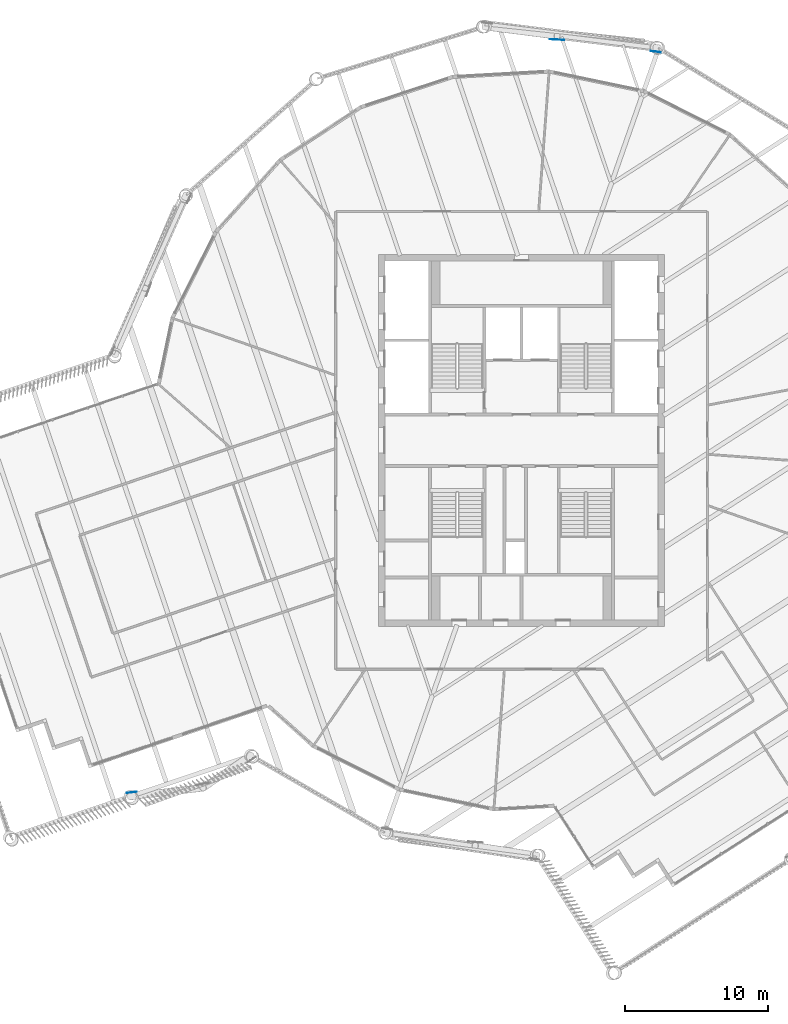
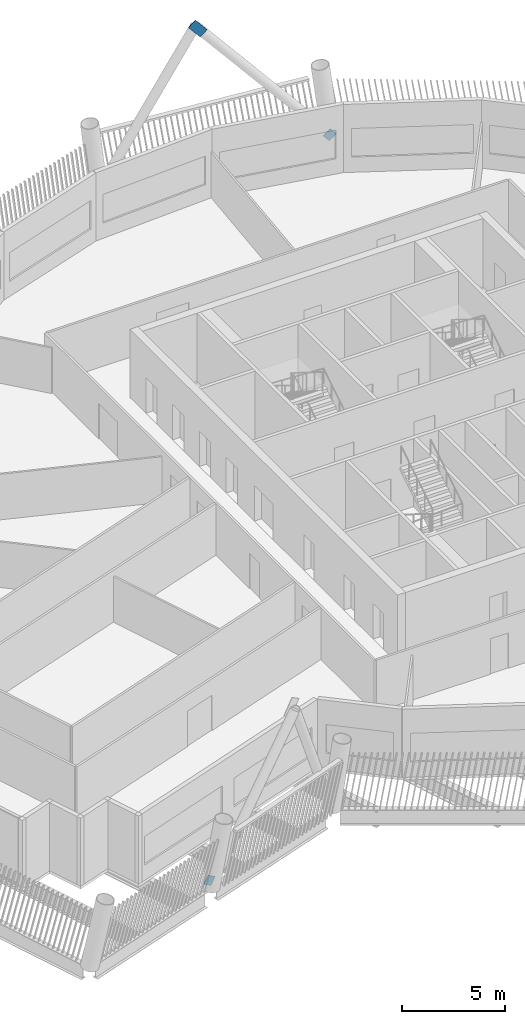
# One storey, part 24 of 35: 3 discrete accessories.
"""IFC4 building model written with IfcOpenShell, lengths in metres."""

from ifc_helpers import new_model, si_unit, direction, frame, origin, origin_2d, place, context, subcontext, project, spatial, rectangle, extrude, material, material_profile, profile_set, type_object, element, save


model = new_model("IFC4")

# Units and contexts
model_context = context("Model", 3, precision=1e-05, world=origin(), true_north=direction((0.0, 1.0)))
body_context = subcontext(model_context, "Body", "Model", "MODEL_VIEW")
ifc_project = project(units=[si_unit("LENGTHUNIT", "METRE"), si_unit("AREAUNIT", "SQUARE_METRE"), si_unit("VOLUMEUNIT", "CUBIC_METRE"), si_unit("PLANEANGLEUNIT", "RADIAN"), si_unit("MASSUNIT", "GRAM", prefix="KILO")], contexts=[model_context])

# Site, building, storey
site_placement = place(None, origin())
site = spatial("IfcSite", under=ifc_project, at=site_placement, CompositionType="ELEMENT")
building_placement = place(site_placement, origin())
building = spatial("IfcBuilding", under=site, at=building_placement, Name="Tarsis Ring Headquarters", CompositionType="ELEMENT")
storey_placement = place(building_placement, frame((0.0, 0.0, 360.800048828125)))
storey = spatial("IfcBuildingStorey", under=building, at=storey_placement, Name="L85", CompositionType="ELEMENT", Elevation=360.800048828125)

# Discrete accessories
ifc_material = material(Name="Structural steel S355", Category="steel")
ifc_material_profile = material_profile(ifc_material, rectangle(XDim=0.02490234375, YDim=0.5, at=origin_2d()), Name="PL 25x500")
ifc_profile_set = profile_set([ifc_material_profile], Name="Structural steel S355")
discrete_accessory_type = type_object("IfcDiscreteAccessoryType", Name="Gusset plate Exo brace 25", PredefinedType="BRACKET", material=ifc_profile_set)
discrete_accessory_1_placement = place(storey_placement, frame((9.55908203125, 27.15478515625, 0.0), z_axis=(-0.643614382173, 0.07862057324, 0.761301078762), x_axis=(-0.12125347038, -0.9926215774, 0.0)))
element("IfcDiscreteAccessory", 1, at=discrete_accessory_1_placement, inside=storey, type_object=discrete_accessory_type, Name="Gusset plate GP5", PredefinedType="BRACKET", context=body_context, shape_type="SweptSolid", body=[
    extrude(rectangle(XDim=0.02490234375, YDim=0.5, at=origin_2d()), origin(), (0.0, 0.0, 1.0), 0.5),
])
discrete_accessory_2_placement = place(storey_placement, frame((2.79833984375, 28.002685546875, 8.019287109375), z_axis=(-0.647494495574, 0.034913918879, 0.761269923529), x_axis=(-0.053843349715, -0.998549394718, 0.0)))
element("IfcDiscreteAccessory", 2, at=discrete_accessory_2_placement, inside=storey, type_object=discrete_accessory_type, Name="Gusset plate GP5", PredefinedType="BRACKET", context=body_context, shape_type="SweptSolid", body=[
    extrude(rectangle(XDim=0.02490234375, YDim=0.5, at=origin_2d()), origin(), (0.0, 0.0, 1.0), 1.0),
])
discrete_accessory_3_placement = place(storey_placement, frame((-27.385986328125, -24.631591796875, 0.0), z_axis=(0.516620900869, 0.061037441029, 0.854035874877), x_axis=(-0.117331382184, 0.993092818801, 0.0)))
element("IfcDiscreteAccessory", 3, at=discrete_accessory_3_placement, inside=storey, type_object=discrete_accessory_type, Name="Gusset plate GP5", PredefinedType="BRACKET", context=body_context, shape_type="SweptSolid", body=[
    extrude(rectangle(XDim=0.02490234375, YDim=0.5, at=origin_2d()), origin(), (0.0, 0.0, 1.0), 0.5),
])

save(model, "model.ifc")
